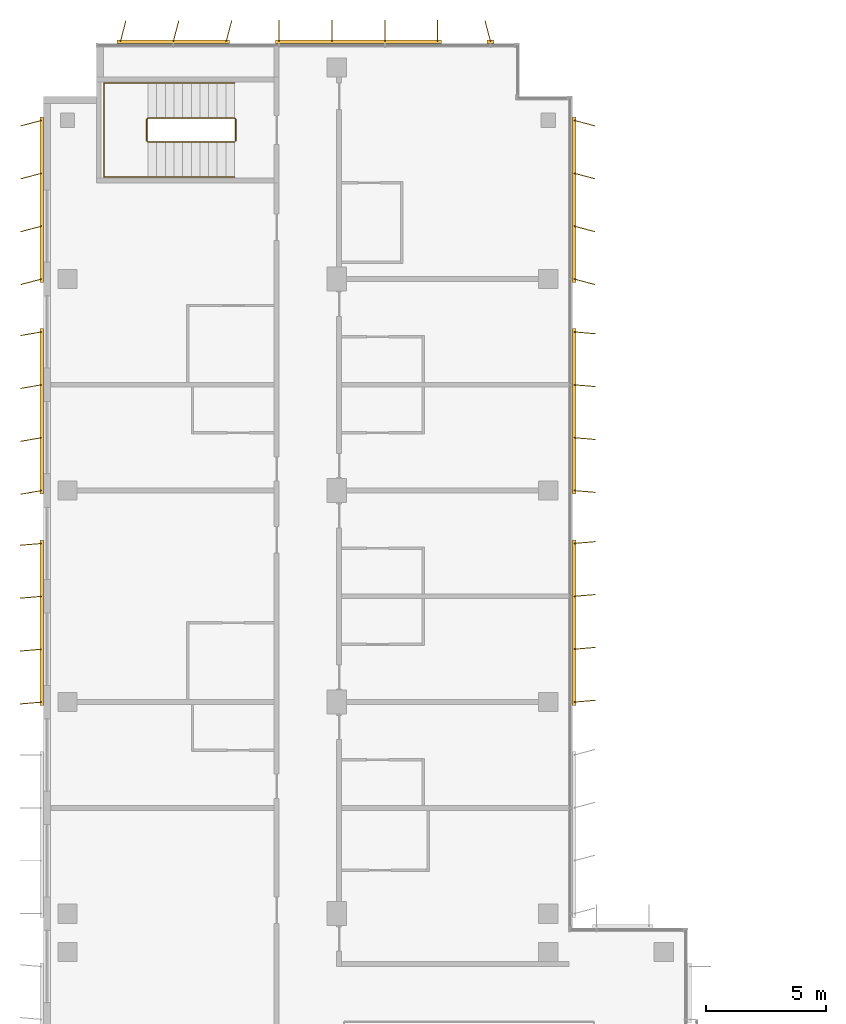
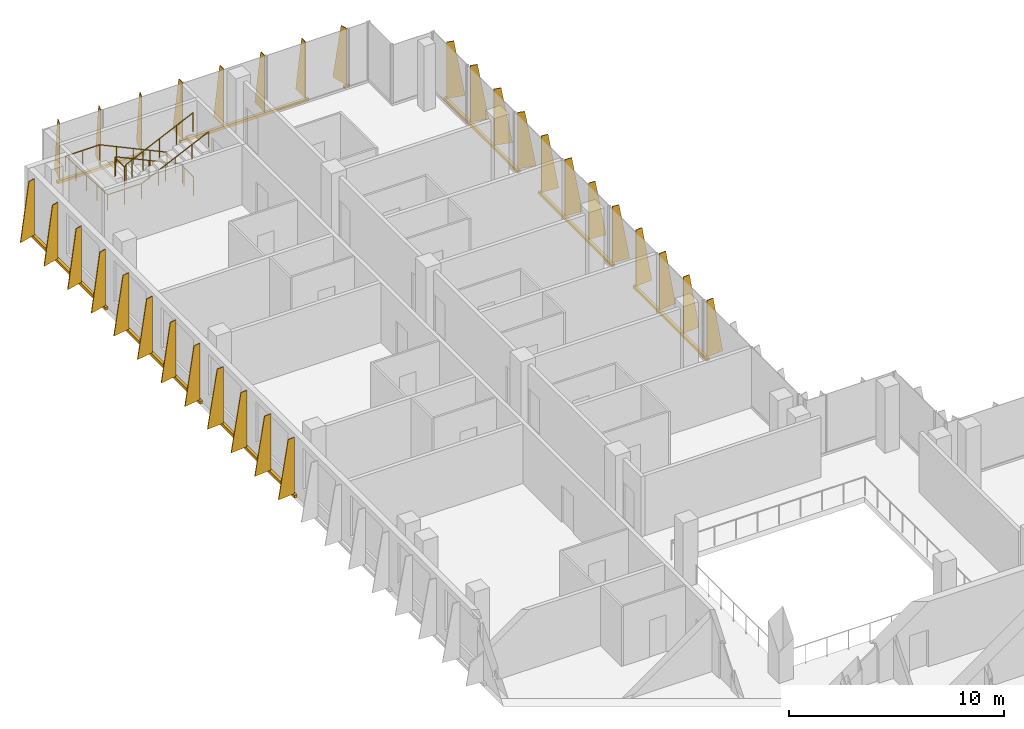
# One storey, part 17 of 17: 9 shading devices, 2 railings.
"""IFC4 building model written with IfcOpenShell, lengths in metres."""

from ifc_helpers import new_model, si_unit, direction, frame, origin, origin_2d, place, context, subcontext, project, spatial, polyline, rectangle, circle, outline, extrude, source, transform, mapped, material, layer, layer_set, type_object, element, save


model = new_model("IFC4")

# Units and contexts
model_context = context("Model", 3, precision=1e-05, world=origin(), true_north=direction((0.0, 1.0)))
body_context = subcontext(model_context, "Body", "Model", "MODEL_VIEW")
ifc_project = project(units=[si_unit("LENGTHUNIT", "METRE"), si_unit("AREAUNIT", "SQUARE_METRE"), si_unit("VOLUMEUNIT", "CUBIC_METRE"), si_unit("PLANEANGLEUNIT", "RADIAN"), si_unit("MASSUNIT", "GRAM", prefix="KILO")], contexts=[model_context])

# Site, building, storey
site_placement = place(None, origin())
site = spatial("IfcSite", under=ifc_project, at=site_placement, CompositionType="ELEMENT")
building_placement = place(site_placement, origin())
building = spatial("IfcBuilding", under=site, at=building_placement, Name="Kemantara Hotel Tower", CompositionType="ELEMENT")
storey_placement = place(building_placement, frame((0.0, 0.0, 222.800048828125)))
storey = spatial("IfcBuildingStorey", under=building, at=storey_placement, Name="L55", CompositionType="ELEMENT", Elevation=222.800048828125)

# Railings
ifc_material_1 = material(Name="Stainless steel balustrade", Category="steel")
railing_type_1 = type_object("IfcRailingType", Name="Stair guard 1100 mm", PredefinedType="GUARDRAIL", material=ifc_material_1)
railing_1_placement = place(storey_placement, frame((7.949951171875, 59.5, 3.699951171875)))
element("IfcRailing", 1, at=railing_1_placement, inside=storey, type_object=railing_type_1, Name="L55 ST4 stair guard 1", PredefinedType="GUARDRAIL", context=body_context, shape_type="SweptSolid", body=[
    extrude(circle(Radius=0.02392578125, at=origin_2d()), frame((0.0, 0.0, 1.076171875), z_axis=(-0.905994681025, 0.0, -0.423289071386), x_axis=(0.0, -1.0, 0.0)), (0.0, 0.0, 1.0), 3.973388671875),
    extrude(circle(Radius=0.02392578125, at=origin_2d()), frame((-3.599853515625, 0.0, -0.60595703125), z_axis=(-0.274243871929, 0.274243871929, -0.92172696468), x_axis=(-0.707106781187, -0.707106781187, 0.0)), (0.0, 0.0, 1.0), 0.1826171875),
    extrude(circle(Radius=0.02392578125, at=origin_2d()), frame((-3.64990234375, 0.050048828125, -0.77392578125), z_axis=(0.0, 1.0, 0.0), x_axis=(-1.0, 0.0, 0.0)), (0.0, 0.0, 1.0), 0.89990234375),
    extrude(circle(Radius=0.02392578125, at=origin_2d()), frame((-3.64990234375, 0.949951171875, -0.77392578125), z_axis=(0.707106781187, 0.707106781187, 0.0), x_axis=(-0.707106781187, 0.707106781187, 0.0)), (0.0, 0.0, 1.0), 0.07080078125),
    extrude(circle(Radius=0.02392578125, at=origin_2d()), frame((-3.599853515625, 1.0, -0.77392578125), z_axis=(0.906018243939, 0.0, -0.423238634402), x_axis=(0.0, 1.0, 0.0)), (0.0, 0.0, 1.0), 3.973388671875),
    extrude(circle(Radius=0.02392578125, at=origin_2d()), frame((0.0, 1.0, -2.45556640625), z_axis=(0.274243871929, -0.274243871929, -0.92172696468), x_axis=(0.707106781187, 0.707106781187, 0.0)), (0.0, 0.0, 1.0), 0.1826171875),
    extrude(circle(Radius=0.02392578125, at=origin_2d()), frame((0.050048828125, 0.949951171875, -2.6240234375), z_axis=(0.0, -1.0, 0.0), x_axis=(1.0, 0.0, 0.0)), (0.0, 0.0, 1.0), 0.89990234375),
    extrude(circle(Radius=0.02099609375, at=origin_2d()), origin(), (0.0, 0.0, 1.0), 1.052001953125),
    extrude(circle(Radius=0.02099609375, at=origin_2d()), frame((-0.89990234375, 0.0, -0.42041015625)), (0.0, 0.0, 1.0), 1.052001953125),
    extrude(circle(Radius=0.02099609375, at=origin_2d()), frame((-1.7998046875, 0.0, -0.8408203125)), (0.0, 0.0, 1.0), 1.052001953125),
    extrude(circle(Radius=0.02099609375, at=origin_2d()), frame((-2.699951171875, 0.0, -1.261474609375)), (0.0, 0.0, 1.0), 1.052001953125),
    extrude(circle(Radius=0.02099609375, at=origin_2d()), frame((-3.599853515625, 0.0, -1.681884765625)), (0.0, 0.0, 1.0), 1.052001953125),
    extrude(circle(Radius=0.02099609375, at=origin_2d()), frame((-3.64990234375, 0.050048828125, -1.85009765625)), (0.0, 0.0, 1.0), 1.052001953125),
    extrude(circle(Radius=0.02099609375, at=origin_2d()), frame((-3.64990234375, 0.949951171875, -1.85009765625)), (0.0, 0.0, 1.0), 1.052001953125),
    extrude(circle(Radius=0.02099609375, at=origin_2d()), frame((-3.599853515625, 1.0, -1.85009765625)), (0.0, 0.0, 1.0), 1.052001953125),
    extrude(circle(Radius=0.02099609375, at=origin_2d()), frame((-2.699951171875, 1.0, -2.2705078125)), (0.0, 0.0, 1.0), 1.052001953125),
    extrude(circle(Radius=0.02099609375, at=origin_2d()), frame((-1.7998046875, 1.0, -2.69091796875)), (0.0, 0.0, 1.0), 1.052001953125),
    extrude(circle(Radius=0.02099609375, at=origin_2d()), frame((-0.89990234375, 1.0, -3.111328125)), (0.0, 0.0, 1.0), 1.052001953125),
    extrude(circle(Radius=0.02099609375, at=origin_2d()), frame((0.0, 1.0, -3.53173828125)), (0.0, 0.0, 1.0), 1.052001953125),
    extrude(circle(Radius=0.02099609375, at=origin_2d()), frame((0.050048828125, 0.949951171875, -3.699951171875)), (0.0, 0.0, 1.0), 1.052001953125),
    extrude(circle(Radius=0.02099609375, at=origin_2d()), frame((0.050048828125, 0.050048828125, -3.699951171875)), (0.0, 0.0, 1.0), 1.052001953125),
])
railing_type_2 = type_object("IfcRailingType", Name="Stair handrail 900 mm", PredefinedType="HANDRAIL", material=ifc_material_1)
railing_2_placement = place(storey_placement, frame((7.949951171875, 61.949951171875, 0.168212890625)))
element("IfcRailing", 2, at=railing_2_placement, inside=storey, type_object=railing_type_2, Name="L55 ST4 stair handrail 1", PredefinedType="HANDRAIL", context=body_context, shape_type="SweptSolid", body=[
    extrude(circle(Radius=0.02392578125, at=origin_2d()), frame((0.0, 0.0, 0.8759765625), z_axis=(-0.906018243939, 0.0, 0.423238634402), x_axis=(0.0, -1.0, 0.0)), (0.0, 0.0, 1.0), 3.973388671875),
    extrude(circle(Radius=0.02392578125, at=origin_2d()), frame((-3.599853515625, 0.0, 2.5576171875), z_axis=(-1.0, 0.0, 0.0), x_axis=(0.0, -1.0, 0.0)), (0.0, 0.0, 1.0), 1.830078125),
    extrude(circle(Radius=0.02392578125, at=origin_2d()), frame((-5.429931640625, 0.0, 2.5576171875), z_axis=(0.0, -0.999071085748, 0.043092523981), x_axis=(1.0, 0.0, 0.0)), (0.0, 0.0, 1.0), 3.903564453125),
    extrude(circle(Radius=0.02392578125, at=origin_2d()), frame((-5.429931640625, -3.89990234375, 2.7255859375), z_axis=(1.0, 0.0, 0.0), x_axis=(0.0, 1.0, 0.0)), (0.0, 0.0, 1.0), 1.830078125),
    extrude(circle(Radius=0.02392578125, at=origin_2d()), frame((-3.599853515625, -3.89990234375, 2.7255859375), z_axis=(0.905994681025, 0.0, 0.423289071386), x_axis=(0.0, 1.0, 0.0)), (0.0, 0.0, 1.0), 3.973388671875),
    extrude(circle(Radius=0.02099609375, at=origin_2d()), origin(), (0.0, 0.0, 1.0), 0.851806640625),
    extrude(circle(Radius=0.02099609375, at=origin_2d()), frame((-0.89990234375, 0.0, 0.42041015625)), (0.0, 0.0, 1.0), 0.851806640625),
    extrude(circle(Radius=0.02099609375, at=origin_2d()), frame((-1.7998046875, 0.0, 0.8408203125)), (0.0, 0.0, 1.0), 0.851806640625),
    extrude(circle(Radius=0.02099609375, at=origin_2d()), frame((-2.699951171875, 0.0, 1.26123046875)), (0.0, 0.0, 1.0), 0.851806640625),
    extrude(circle(Radius=0.02099609375, at=origin_2d()), frame((-3.599853515625, 0.0, 1.681640625)), (0.0, 0.0, 1.0), 0.851806640625),
    extrude(circle(Radius=0.02099609375, at=origin_2d()), frame((-4.514892578125, 0.0, 1.681640625)), (0.0, 0.0, 1.0), 0.851806640625),
    extrude(circle(Radius=0.02099609375, at=origin_2d()), frame((-5.429931640625, 0.0, 1.681640625)), (0.0, 0.0, 1.0), 0.851806640625),
    extrude(circle(Radius=0.02099609375, at=origin_2d()), frame((-5.429931640625, -0.97509765625, 1.7236328125)), (0.0, 0.0, 1.0), 0.851806640625),
    extrude(circle(Radius=0.02099609375, at=origin_2d()), frame((-5.429931640625, -1.949951171875, 1.765625)), (0.0, 0.0, 1.0), 0.851806640625),
    extrude(circle(Radius=0.02099609375, at=origin_2d()), frame((-5.429931640625, -2.9248046875, 1.807861328125)), (0.0, 0.0, 1.0), 0.851806640625),
    extrude(circle(Radius=0.02099609375, at=origin_2d()), frame((-5.429931640625, -3.89990234375, 1.849853515625)), (0.0, 0.0, 1.0), 0.851806640625),
    extrude(circle(Radius=0.02099609375, at=origin_2d()), frame((-4.514892578125, -3.89990234375, 1.849853515625)), (0.0, 0.0, 1.0), 0.851806640625),
    extrude(circle(Radius=0.02099609375, at=origin_2d()), frame((-3.599853515625, -3.89990234375, 1.849853515625)), (0.0, 0.0, 1.0), 0.851806640625),
    extrude(circle(Radius=0.02099609375, at=origin_2d()), frame((-2.699951171875, -3.89990234375, 2.270263671875)), (0.0, 0.0, 1.0), 0.851806640625),
    extrude(circle(Radius=0.02099609375, at=origin_2d()), frame((-1.7998046875, -3.89990234375, 2.69091796875)), (0.0, 0.0, 1.0), 0.851806640625),
    extrude(circle(Radius=0.02099609375, at=origin_2d()), frame((-0.89990234375, -3.89990234375, 3.111328125)), (0.0, 0.0, 1.0), 0.851806640625),
    extrude(circle(Radius=0.02099609375, at=origin_2d()), frame((0.0, -3.89990234375, 3.53173828125)), (0.0, 0.0, 1.0), 0.851806640625),
])

# Shading devices
ifc_material_2 = material(Name="Perforated aluminium plate 4 mm bronze anodised", Category="aluminium")
ifc_layer_1 = layer(ifc_material_2, 0.0400390625)
ifc_layer_set_1 = layer_set([ifc_layer_1], Name="Perforated aluminium plate 4 mm bronze anodised")
shading_device_type_1 = type_object("IfcShadingDeviceType", Name="SCREEN FIN CASSETTE, 3 BLADES AT -15.0 DEG, 3200 HIGH", PredefinedType="USERDEFINED", material=ifc_layer_set_1)
shared_shape_1 = source(origin(), body_context, "Body", "SweptSolid", [
    extrude(rectangle(XDim=4.699951171875, YDim=0.14990234375, at=origin_2d()), frame((2.199951171875, -0.074951171875, -0.14990234375), z_axis=(0.0, 0.0, 1.0), x_axis=(1.0, 0.0, 0.0)), (0.0, 0.0, 1.0), 0.14990234375),
    extrude(outline(polyline([(0.0, 0.0), (0.89990234375, 0.0), (0.35009765625, 3.199951171875), (0.0, 3.199951171875), (0.0, 0.0)])), frame((0.019287109375, -0.080078125, 0.0), z_axis=(-0.966437683387, 0.256901156343, 0.0), x_axis=(-0.256901156343, -0.966437683387, 0.0)), (0.0, 0.0, 1.0), 0.039794921875),
    extrude(outline(polyline([(0.0, 0.0), (0.89990234375, 0.0), (0.35009765625, 3.199951171875), (0.0, 3.199951171875), (0.0, 0.0)])), frame((2.21923828125, -0.080078125, 0.0), z_axis=(-0.966437683387, 0.256901156343, 0.0), x_axis=(-0.256901156343, -0.966437683387, 0.0)), (0.0, 0.0, 1.0), 0.039794921875),
    extrude(outline(polyline([(0.0, 0.0), (0.89990234375, 0.0), (0.35009765625, 3.199951171875), (0.0, 3.199951171875), (0.0, 0.0)])), frame((4.41943359375, -0.080078125, 0.0), z_axis=(-0.966837822169, 0.255391122837, 0.0), x_axis=(-0.255391122837, -0.966837822169, 0.0)), (0.0, 0.0, 1.0), 0.0400390625),
])
shading_device_1_placement = place(storey_placement, frame((7.60009765625, 63.60009765625, 0.099853515625), z_axis=(0.0, 0.0, 1.0), x_axis=(-1.0, 0.0, 0.0)))
element("IfcShadingDevice", 3, at=shading_device_1_placement, inside=storey, type_object=shading_device_type_1, Name="SCREEN FIN CASSETTE L55 T4-R02-3", ObjectType="SCREEN FIN", PredefinedType="USERDEFINED", context=body_context, shape_type="MappedRepresentation", body=[
    mapped(shared_shape_1, transform((0.0, 0.0, 0.0))),
])
ifc_layer_2 = layer(ifc_material_2, 0.0400390625)
ifc_layer_set_2 = layer_set([ifc_layer_2], Name="Perforated aluminium plate 4 mm bronze anodised")
shading_device_type_2 = type_object("IfcShadingDeviceType", Name="SCREEN FIN CASSETTE, 4 BLADES AT -5.0 DEG, 3200 HIGH", PredefinedType="USERDEFINED", material=ifc_layer_set_2)
shared_shape_2 = source(origin(), body_context, "Body", "SweptSolid", [
    extrude(rectangle(XDim=6.89990234375, YDim=0.14990234375, at=origin_2d()), frame((3.300048828125, -0.074951171875, -0.14990234375), z_axis=(0.0, 0.0, 1.0), x_axis=(1.0, 0.0, 0.0)), (0.0, 0.0, 1.0), 0.14990234375),
    extrude(outline(polyline([(0.0, 0.0), (0.89990234375, 0.0), (0.35009765625, 3.199951171875), (0.0, 3.199951171875), (0.0, 0.0)])), frame((0.02001953125, -0.07666015625, 0.0), z_axis=(-0.996376129781, 0.085056498884, 0.0), x_axis=(-0.085056498884, -0.996376129781, 0.0)), (0.0, 0.0, 1.0), 0.040283203125),
    extrude(outline(polyline([(0.0, 0.0), (0.89990234375, 0.0), (0.35009765625, 3.199951171875), (0.0, 3.199951171875), (0.0, 0.0)])), frame((2.219970703125, -0.07666015625, 0.0), z_axis=(-0.996331773833, 0.085574508182, 0.0), x_axis=(-0.085574508182, -0.996331773833, 0.0)), (0.0, 0.0, 1.0), 0.0400390625),
    extrude(outline(polyline([(0.0, 0.0), (0.89990234375, 0.0), (0.35009765625, 3.199951171875), (0.0, 3.199951171875), (0.0, 0.0)])), frame((4.419921875, -0.07666015625, 0.0), z_axis=(-0.996331773833, 0.085574508182, 0.0), x_axis=(-0.085574508182, -0.996331773833, 0.0)), (0.0, 0.0, 1.0), 0.0400390625),
    extrude(outline(polyline([(0.0, 0.0), (0.89990234375, 0.0), (0.35009765625, 3.199951171875), (0.0, 3.199951171875), (0.0, 0.0)])), frame((6.619873046875, -0.07666015625, 0.0), z_axis=(-0.996331773833, 0.085574508182, 0.0), x_axis=(-0.085574508182, -0.996331773833, 0.0)), (0.0, 0.0, 1.0), 0.0400390625),
])
shading_device_2_placement = place(storey_placement, frame((22.0, 45.0, 0.099853515625), z_axis=(0.0, 0.0, 1.0), x_axis=(0.0, 1.0, 0.0)))
element("IfcShadingDevice", 4, at=shading_device_2_placement, inside=storey, type_object=shading_device_type_2, Name="SCREEN FIN CASSETTE L55 T4-R15-3", ObjectType="SCREEN FIN", PredefinedType="USERDEFINED", context=body_context, shape_type="MappedRepresentation", body=[
    mapped(shared_shape_2, transform((0.0, 0.0, 0.0))),
])
ifc_layer_3 = layer(ifc_material_2, 0.0400390625)
ifc_layer_set_3 = layer_set([ifc_layer_3], Name="Perforated aluminium plate 4 mm bronze anodised")
shading_device_type_3 = type_object("IfcShadingDeviceType", Name="SCREEN FIN CASSETTE, 4 BLADES AT +0.0 DEG, 3200 HIGH", PredefinedType="USERDEFINED", material=ifc_layer_set_3)
shared_shape_3 = source(origin(), body_context, "Body", "SweptSolid", [
    extrude(rectangle(XDim=6.89990234375, YDim=0.14990234375, at=origin_2d()), frame((3.300048828125, -0.074951171875, -0.14990234375), z_axis=(0.0, 0.0, 1.0), x_axis=(1.0, 0.0, 0.0)), (0.0, 0.0, 1.0), 0.14990234375),
    extrude(outline(polyline([(0.0, 0.0), (0.89990234375, 0.0), (0.35009765625, 3.199951171875), (0.0, 3.199951171875), (0.0, 0.0)])), frame((0.02001953125, -0.074951171875, 0.0), z_axis=(-1.0, 0.0, 0.0), x_axis=(0.0, -1.0, 0.0)), (0.0, 0.0, 1.0), 0.0400390625),
    extrude(outline(polyline([(0.0, 0.0), (0.89990234375, 0.0), (0.35009765625, 3.199951171875), (0.0, 3.199951171875), (0.0, 0.0)])), frame((2.219970703125, -0.074951171875, 0.0), z_axis=(-1.0, 0.0, 0.0), x_axis=(0.0, -1.0, 0.0)), (0.0, 0.0, 1.0), 0.0400390625),
    extrude(outline(polyline([(0.0, 0.0), (0.89990234375, 0.0), (0.35009765625, 3.199951171875), (0.0, 3.199951171875), (0.0, 0.0)])), frame((4.419921875, -0.074951171875, 0.0), z_axis=(-1.0, 0.0, 0.0), x_axis=(0.0, -1.0, 0.0)), (0.0, 0.0, 1.0), 0.0400390625),
    extrude(outline(polyline([(0.0, 0.0), (0.89990234375, 0.0), (0.35009765625, 3.199951171875), (0.0, 3.199951171875), (0.0, 0.0)])), frame((6.6201171875, -0.074951171875, 0.0), z_axis=(-1.0, 0.0, 0.0), x_axis=(0.0, -1.0, 0.0)), (0.0, 0.0, 1.0), 0.0400390625),
])
shading_device_3_placement = place(storey_placement, frame((16.39990234375, 63.60009765625, 0.099853515625), z_axis=(0.0, 0.0, 1.0), x_axis=(-1.0, 0.0, 0.0)))
element("IfcShadingDevice", 5, at=shading_device_3_placement, inside=storey, type_object=shading_device_type_3, Name="SCREEN FIN CASSETTE L55 T4-R02-2", ObjectType="SCREEN FIN", PredefinedType="USERDEFINED", context=body_context, shape_type="MappedRepresentation", body=[
    mapped(shared_shape_3, transform((0.0, 0.0, 0.0))),
])
ifc_layer_4 = layer(ifc_material_2, 0.0400390625)
ifc_layer_set_4 = layer_set([ifc_layer_4], Name="Perforated aluminium plate 4 mm bronze anodised")
shading_device_type_4 = type_object("IfcShadingDeviceType", Name="SCREEN FIN CASSETTE, 4 BLADES AT +5.0 DEG, 3200 HIGH", PredefinedType="USERDEFINED", material=ifc_layer_set_4)
shared_shape_4 = source(origin(), body_context, "Body", "SweptSolid", [
    extrude(rectangle(XDim=6.89990234375, YDim=0.14990234375, at=origin_2d()), frame((3.300048828125, -0.074951171875, -0.14990234375), z_axis=(0.0, 0.0, 1.0), x_axis=(1.0, 0.0, 0.0)), (0.0, 0.0, 1.0), 0.14990234375),
    extrude(outline(polyline([(0.0, 0.0), (0.89990234375, 0.0), (0.35009765625, 3.199951171875), (0.0, 3.199951171875), (0.0, 0.0)])), frame((0.02001953125, -0.0732421875, 0.0), z_axis=(-0.996376129781, -0.085056498884, 0.0), x_axis=(0.085056498884, -0.996376129781, 0.0)), (0.0, 0.0, 1.0), 0.040283203125),
    extrude(outline(polyline([(0.0, 0.0), (0.89990234375, 0.0), (0.35009765625, 3.199951171875), (0.0, 3.199951171875), (0.0, 0.0)])), frame((2.219970703125, -0.0732421875, 0.0), z_axis=(-0.996331773833, -0.085574508182, 0.0), x_axis=(0.085574508182, -0.996331773833, 0.0)), (0.0, 0.0, 1.0), 0.0400390625),
    extrude(outline(polyline([(0.0, 0.0), (0.89990234375, 0.0), (0.35009765625, 3.199951171875), (0.0, 3.199951171875), (0.0, 0.0)])), frame((4.419921875, -0.0732421875, 0.0), z_axis=(-0.996331773833, -0.085574508182, 0.0), x_axis=(0.085574508182, -0.996331773833, 0.0)), (0.0, 0.0, 1.0), 0.0400390625),
    extrude(outline(polyline([(0.0, 0.0), (0.89990234375, 0.0), (0.35009765625, 3.199951171875), (0.0, 3.199951171875), (0.0, 0.0)])), frame((6.619873046875, -0.0732421875, 0.0), z_axis=(-0.996331773833, -0.085574508182, 0.0), x_axis=(0.085574508182, -0.996331773833, 0.0)), (0.0, 0.0, 1.0), 0.0400390625),
])
for number, where, z_axis, x_axis, name in (
    (6, (0.0, 42.800048828125, 0.099853515625), (0.0, 0.0, 1.0), (0.0, -1.0, 0.0), "SCREEN FIN CASSETTE L55 T4-R05-3"),
    (7, (22.0, 36.199951171875, 0.099853515625), (0.0, 0.0, 1.0), (0.0, 1.0, 0.0), "SCREEN FIN CASSETTE L55 T4-R15-2"),
):
    element("IfcShadingDevice", number, at=place(storey_placement, frame(where, z_axis=z_axis, x_axis=x_axis)), inside=storey, type_object=shading_device_type_4, Name=name, ObjectType="SCREEN FIN", PredefinedType="USERDEFINED", context=body_context, shape_type="MappedRepresentation", body=[
        mapped(shared_shape_4, transform((0.0, 0.0, 0.0))),
    ])
ifc_layer_5 = layer(ifc_material_2, 0.0400390625)
ifc_layer_set_5 = layer_set([ifc_layer_5], Name="Perforated aluminium plate 4 mm bronze anodised")
shading_device_type_5 = type_object("IfcShadingDeviceType", Name="SCREEN FIN CASSETTE, 4 BLADES AT +10.0 DEG, 3200 HIGH", PredefinedType="USERDEFINED", material=ifc_layer_set_5)
shared_shape_5 = source(origin(), body_context, "Body", "SweptSolid", [
    extrude(rectangle(XDim=6.89990234375, YDim=0.14990234375, at=origin_2d()), frame((3.300048828125, -0.074951171875, -0.14990234375), z_axis=(0.0, 0.0, 1.0), x_axis=(1.0, 0.0, 0.0)), (0.0, 0.0, 1.0), 0.14990234375),
    extrude(outline(polyline([(0.0, 0.0), (0.89990234375, 0.0), (0.35009765625, 3.199951171875), (0.0, 3.199951171875), (0.0, 0.0)])), frame((0.019775390625, -0.071533203125, 0.0), z_axis=(-0.985389793052, -0.170314285219, 0.0), x_axis=(0.170314285219, -0.985389793052, 0.0)), (0.0, 0.0, 1.0), 0.0400390625),
    extrude(outline(polyline([(0.0, 0.0), (0.89990234375, 0.0), (0.35009765625, 3.199951171875), (0.0, 3.199951171875), (0.0, 0.0)])), frame((2.2197265625, -0.071533203125, 0.0), z_axis=(-0.98521175482, -0.171341174751, 0.0), x_axis=(0.171341174751, -0.98521175482, 0.0)), (0.0, 0.0, 1.0), 0.039794921875),
    extrude(outline(polyline([(0.0, 0.0), (0.89990234375, 0.0), (0.35009765625, 3.199951171875), (0.0, 3.199951171875), (0.0, 0.0)])), frame((4.419677734375, -0.071533203125, 0.0), z_axis=(-0.98521175482, -0.171341174751, 0.0), x_axis=(0.171341174751, -0.98521175482, 0.0)), (0.0, 0.0, 1.0), 0.039794921875),
    extrude(outline(polyline([(0.0, 0.0), (0.89990234375, 0.0), (0.35009765625, 3.199951171875), (0.0, 3.199951171875), (0.0, 0.0)])), frame((6.61962890625, -0.071533203125, 0.0), z_axis=(-0.98521175482, -0.171341174751, 0.0), x_axis=(0.171341174751, -0.98521175482, 0.0)), (0.0, 0.0, 1.0), 0.039794921875),
])
shading_device_4_placement = place(storey_placement, frame((0.0, 51.60009765625, 0.099853515625), z_axis=(0.0, 0.0, 1.0), x_axis=(0.0, -1.0, 0.0)))
element("IfcShadingDevice", 8, at=shading_device_4_placement, inside=storey, type_object=shading_device_type_5, Name="SCREEN FIN CASSETTE L55 T4-R05-2", ObjectType="SCREEN FIN", PredefinedType="USERDEFINED", context=body_context, shape_type="MappedRepresentation", body=[
    mapped(shared_shape_5, transform((0.0, 0.0, 0.0))),
])
ifc_layer_6 = layer(ifc_material_2, 0.0400390625)
ifc_layer_set_6 = layer_set([ifc_layer_6], Name="Perforated aluminium plate 4 mm bronze anodised")
shading_device_type_6 = type_object("IfcShadingDeviceType", Name="SCREEN FIN CASSETTE, 4 BLADES AT +15.0 DEG, 3200 HIGH", PredefinedType="USERDEFINED", material=ifc_layer_set_6)
shared_shape_6 = source(origin(), body_context, "Body", "SweptSolid", [
    extrude(rectangle(XDim=6.89990234375, YDim=0.14990234375, at=origin_2d()), frame((3.300048828125, -0.074951171875, -0.14990234375), z_axis=(0.0, 0.0, 1.0), x_axis=(1.0, 0.0, 0.0)), (0.0, 0.0, 1.0), 0.14990234375),
    extrude(outline(polyline([(0.0, 0.0), (0.89990234375, 0.0), (0.35009765625, 3.199951171875), (0.0, 3.199951171875), (0.0, 0.0)])), frame((0.019287109375, -0.06982421875, 0.0), z_axis=(-0.966437683387, -0.256901156343, 0.0), x_axis=(0.256901156343, -0.966437683387, 0.0)), (0.0, 0.0, 1.0), 0.039794921875),
    extrude(outline(polyline([(0.0, 0.0), (0.89990234375, 0.0), (0.35009765625, 3.199951171875), (0.0, 3.199951171875), (0.0, 0.0)])), frame((2.21923828125, -0.06982421875, 0.0), z_axis=(-0.966437683387, -0.256901156343, 0.0), x_axis=(0.256901156343, -0.966437683387, 0.0)), (0.0, 0.0, 1.0), 0.039794921875),
    extrude(outline(polyline([(0.0, 0.0), (0.89990234375, 0.0), (0.35009765625, 3.199951171875), (0.0, 3.199951171875), (0.0, 0.0)])), frame((4.41943359375, -0.06982421875, 0.0), z_axis=(-0.966837822169, -0.255391122837, 0.0), x_axis=(0.255391122837, -0.966837822169, 0.0)), (0.0, 0.0, 1.0), 0.0400390625),
    extrude(outline(polyline([(0.0, 0.0), (0.89990234375, 0.0), (0.35009765625, 3.199951171875), (0.0, 3.199951171875), (0.0, 0.0)])), frame((6.619384765625, -0.06982421875, 0.0), z_axis=(-0.966837822169, -0.255391122837, 0.0), x_axis=(0.255391122837, -0.966837822169, 0.0)), (0.0, 0.0, 1.0), 0.0400390625),
])
shading_device_5_placement = place(storey_placement, frame((0.0, 60.39990234375, 0.099853515625), z_axis=(0.0, 0.0, 1.0), x_axis=(0.0, -1.0, 0.0)))
element("IfcShadingDevice", 9, at=shading_device_5_placement, inside=storey, type_object=shading_device_type_6, Name="SCREEN FIN CASSETTE L55 T4-R05-1", ObjectType="SCREEN FIN", PredefinedType="USERDEFINED", context=body_context, shape_type="MappedRepresentation", body=[
    mapped(shared_shape_6, transform((0.0, 0.0, 0.0))),
])
ifc_layer_7 = layer(ifc_material_2, 0.0400390625)
ifc_layer_set_7 = layer_set([ifc_layer_7], Name="Perforated aluminium plate 4 mm bronze anodised")
shading_device_type_7 = type_object("IfcShadingDeviceType", Name="SCREEN FIN CASSETTE, 4 BLADES AT -15.0 DEG, 3200 HIGH", PredefinedType="USERDEFINED", material=ifc_layer_set_7)
shared_shape_7 = source(origin(), body_context, "Body", "SweptSolid", [
    extrude(rectangle(XDim=6.89990234375, YDim=0.14990234375, at=origin_2d()), frame((3.300048828125, -0.074951171875, -0.14990234375), z_axis=(0.0, 0.0, 1.0), x_axis=(1.0, 0.0, 0.0)), (0.0, 0.0, 1.0), 0.14990234375),
    extrude(outline(polyline([(0.0, 0.0), (0.89990234375, 0.0), (0.35009765625, 3.199951171875), (0.0, 3.199951171875), (0.0, 0.0)])), frame((0.019287109375, -0.080078125, 0.0), z_axis=(-0.966437683387, 0.256901156343, 0.0), x_axis=(-0.256901156343, -0.966437683387, 0.0)), (0.0, 0.0, 1.0), 0.039794921875),
    extrude(outline(polyline([(0.0, 0.0), (0.89990234375, 0.0), (0.35009765625, 3.199951171875), (0.0, 3.199951171875), (0.0, 0.0)])), frame((2.21923828125, -0.080078125, 0.0), z_axis=(-0.966437683387, 0.256901156343, 0.0), x_axis=(-0.256901156343, -0.966437683387, 0.0)), (0.0, 0.0, 1.0), 0.039794921875),
    extrude(outline(polyline([(0.0, 0.0), (0.89990234375, 0.0), (0.35009765625, 3.199951171875), (0.0, 3.199951171875), (0.0, 0.0)])), frame((4.41943359375, -0.080078125, 0.0), z_axis=(-0.966837822169, 0.255391122837, 0.0), x_axis=(-0.255391122837, -0.966837822169, 0.0)), (0.0, 0.0, 1.0), 0.0400390625),
    extrude(outline(polyline([(0.0, 0.0), (0.89990234375, 0.0), (0.35009765625, 3.199951171875), (0.0, 3.199951171875), (0.0, 0.0)])), frame((6.619384765625, -0.080078125, 0.0), z_axis=(-0.966837822169, 0.255391122837, 0.0), x_axis=(-0.255391122837, -0.966837822169, 0.0)), (0.0, 0.0, 1.0), 0.0400390625),
])
shading_device_6_placement = place(storey_placement, frame((22.0, 53.800048828125, 0.099853515625), z_axis=(0.0, 0.0, 1.0), x_axis=(0.0, 1.0, 0.0)))
element("IfcShadingDevice", 10, at=shading_device_6_placement, inside=storey, type_object=shading_device_type_7, Name="SCREEN FIN CASSETTE L55 T4-R15-4", ObjectType="SCREEN FIN", PredefinedType="USERDEFINED", context=body_context, shape_type="MappedRepresentation", body=[
    mapped(shared_shape_7, transform((0.0, 0.0, 0.0))),
])
ifc_layer_8 = layer(ifc_material_2, 0.0400390625)
ifc_layer_set_8 = layer_set([ifc_layer_8], Name="Perforated aluminium plate 4 mm bronze anodised")
shading_device_type_8 = type_object("IfcShadingDeviceType", Name="SCREEN FIN CASSETTE, 1 BLADE AT +15.0 DEG, 3200 HIGH", PredefinedType="USERDEFINED", material=ifc_layer_set_8)
shared_shape_8 = source(origin(), body_context, "Body", "SweptSolid", [
    extrude(rectangle(XDim=0.300048828125, YDim=0.14990234375, at=origin_2d()), frame((0.0, -0.074951171875, -0.14990234375), z_axis=(0.0, 0.0, 1.0), x_axis=(1.0, 0.0, 0.0)), (0.0, 0.0, 1.0), 0.14990234375),
    extrude(outline(polyline([(0.0, 0.0), (0.89990234375, 0.0), (0.35009765625, 3.199951171875), (0.0, 3.199951171875), (0.0, 0.0)])), frame((0.019287109375, -0.06982421875, 0.0), z_axis=(-0.966437683387, -0.256901156343, 0.0), x_axis=(0.256901156343, -0.966437683387, 0.0)), (0.0, 0.0, 1.0), 0.039794921875),
])
shading_device_7_placement = place(storey_placement, frame((18.60009765625, 63.60009765625, 0.099853515625), z_axis=(0.0, 0.0, 1.0), x_axis=(-1.0, 0.0, 0.0)))
element("IfcShadingDevice", 11, at=shading_device_7_placement, inside=storey, type_object=shading_device_type_8, Name="SCREEN FIN CASSETTE L55 T4-R02-1", ObjectType="SCREEN FIN", PredefinedType="USERDEFINED", context=body_context, shape_type="MappedRepresentation", body=[
    mapped(shared_shape_8, transform((0.0, 0.0, 0.0))),
])

save(model, "model.ifc")
